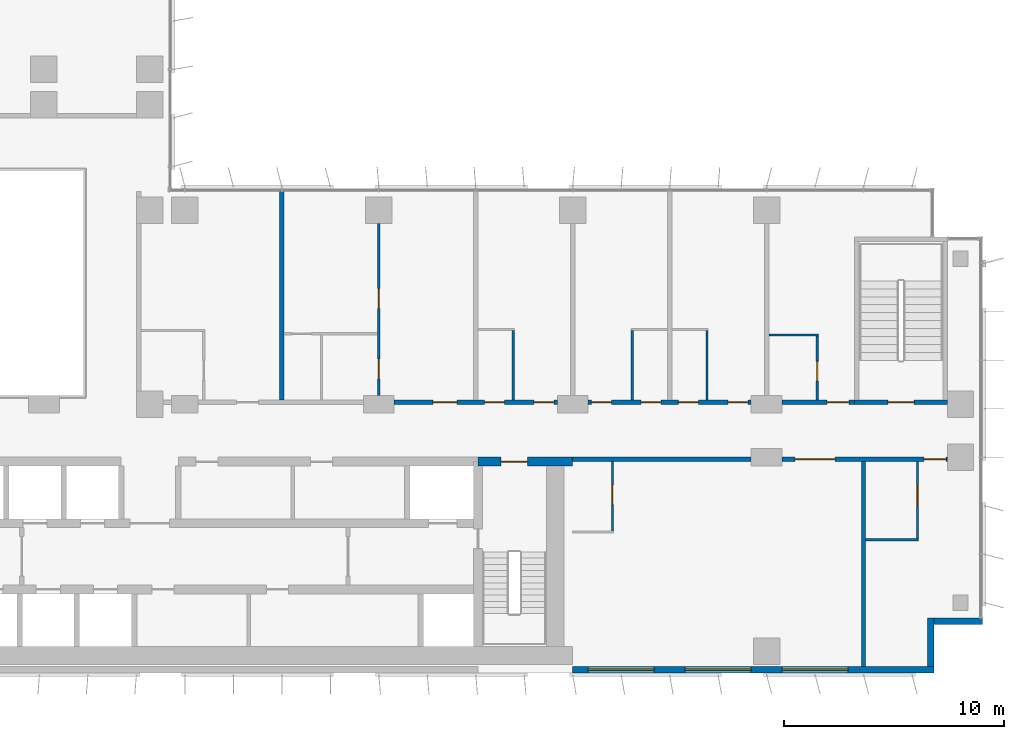
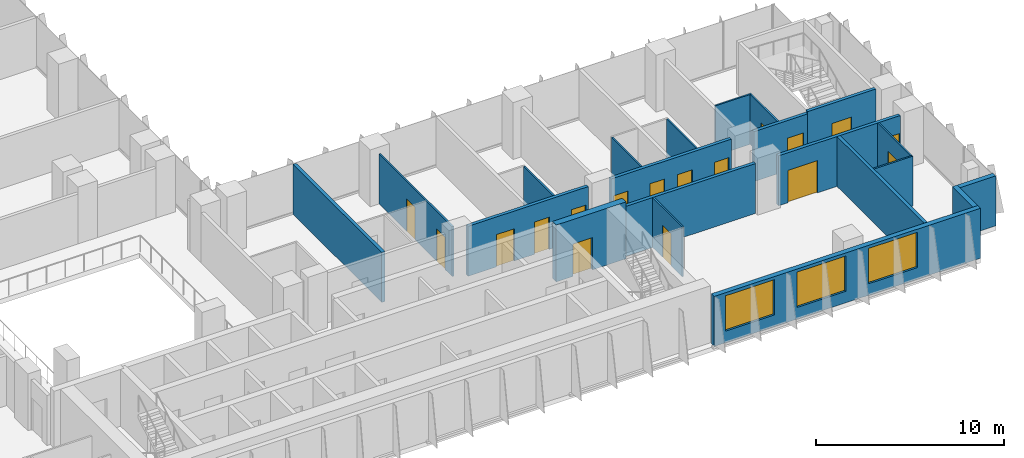
# One storey, part 14 of 22: 21 walls, 17 doors, 3 windows, 20 openings.
"""IFC4 building model written with IfcOpenShell, lengths in metres."""

from ifc_helpers import new_model, si_unit, direction, frame, frame_2d, origin, place, context, subcontext, project, spatial, rectangle, extrude, material, layer, layer_set, type_object, element, fill, save


model = new_model("IFC4")

# Units and contexts
model_context = context("Model", 3, precision=1e-05, world=origin(), true_north=direction((0.0, 1.0)))
body_context = subcontext(model_context, "Body", "Model", "MODEL_VIEW")
ifc_project = project(units=[si_unit("LENGTHUNIT", "METRE"), si_unit("AREAUNIT", "SQUARE_METRE"), si_unit("VOLUMEUNIT", "CUBIC_METRE"), si_unit("PLANEANGLEUNIT", "RADIAN"), si_unit("MASSUNIT", "GRAM", prefix="KILO")], contexts=[model_context])

# Site, building, storey
site_placement = place(None, origin())
site = spatial("IfcSite", under=ifc_project, at=site_placement, CompositionType="ELEMENT")
building_placement = place(site_placement, origin())
building = spatial("IfcBuilding", under=site, at=building_placement, Name="Kemantara Hotel Tower", CompositionType="ELEMENT")
storey_placement = place(building_placement, frame((0.0, 0.0, 149.39990234375)))
storey = spatial("IfcBuildingStorey", under=building, at=storey_placement, Name="L36", CompositionType="ELEMENT", Elevation=149.39990234375)

# Wall, openings, windows
ifc_material_1 = material(Name="Bronze anodised aluminium cladding on insulated steel stud wall", Category="steel")
ifc_layer_1 = layer(ifc_material_1, 0.300048828125)
ifc_layer_set_1 = layer_set([ifc_layer_1], Name="Bronze anodised aluminium cladding on insulated steel stud wall")
wall_type_1 = type_object("IfcWallType", Name="BRONZE METAL-CLAD EXTERNAL WALL 300", PredefinedType="STANDARD", material=ifc_layer_set_1)
wall_1_placement = place(storey_placement, frame((45.0, 0.14990234375, 0.0), z_axis=(0.0, 0.0, 1.0), x_axis=(1.0, 0.0, 0.0)))
wall_1 = element("IfcWall", 1, at=wall_1_placement, inside=storey, type_object=wall_type_1, Name="EXTERNAL WALL L36 T2-R07-3", PredefinedType="STANDARD", context=body_context, shape_type="SweptSolid", body=[
    extrude(rectangle(XDim=16.39990234375, YDim=0.300048828125, at=frame_2d((8.199951171875, 0.0))), origin(), (0.0, 0.0, 1.0), 3.25),
])
opening_1_placement = place(wall_1_placement, frame((0.699951171875, 0.0, 0.75)))
opening_1 = element("IfcOpeningElement", 2, at=opening_1_placement, cuts=wall_1, Name="Opening W1", PredefinedType="OPENING", context=body_context, shape_type="SweptSolid", body=[
    extrude(rectangle(XDim=3.0, YDim=2.300048828125, at=frame_2d((1.5, 1.14990234375))), frame((0.0, 0.159912109375, 0.0), z_axis=(0.0, -1.0, 0.0), x_axis=(1.0, 0.0, 0.0)), (0.0, 0.0, 1.0), 0.320068359375),
])
opening_2_placement = place(wall_1_placement, frame((5.10009765625, 0.0, 0.75)))
opening_2 = element("IfcOpeningElement", 3, at=opening_2_placement, cuts=wall_1, Name="Opening W1", PredefinedType="OPENING", context=body_context, shape_type="SweptSolid", body=[
    extrude(rectangle(XDim=3.0, YDim=2.300048828125, at=frame_2d((1.5, 1.14990234375))), frame((0.0, 0.159912109375, 0.0), z_axis=(0.0, -1.0, 0.0), x_axis=(1.0, 0.0, 0.0)), (0.0, 0.0, 1.0), 0.320068359375),
])
opening_3_placement = place(wall_1_placement, frame((9.5, 0.0, 0.75)))
opening_3 = element("IfcOpeningElement", 4, at=opening_3_placement, cuts=wall_1, Name="Opening W1", PredefinedType="OPENING", context=body_context, shape_type="SweptSolid", body=[
    extrude(rectangle(XDim=3.0, YDim=2.300048828125, at=frame_2d((1.5, 1.14990234375))), frame((0.0, 0.159912109375, 0.0), z_axis=(0.0, -1.0, 0.0), x_axis=(1.0, 0.0, 0.0)), (0.0, 0.0, 1.0), 0.320068359375),
])
ifc_material_2 = material(Name="Low-E tinted double insulated glass in bronze anodised aluminium frame", Category="aluminium")
window_type = type_object("IfcWindowType", Name="CHICAGO WINDOW, TRIPLE PANEL 3000x2300", PartitioningType="TRIPLE_PANEL_VERTICAL", PredefinedType="WINDOW", material=ifc_material_2)
window_1_placement = place(opening_1_placement, origin())
window_1 = element("IfcWindow", 5, at=window_1_placement, inside=storey, type_object=window_type, Name="CHICAGO WINDOW L36 T2-R07-450", OverallHeight=2.300048828125, OverallWidth=3.0, PartitioningType="SINGLE_PANEL", PredefinedType="WINDOW", context=body_context, shape_type="SweptSolid", body=[
    extrude(rectangle(XDim=3.0, YDim=2.300048828125, at=frame_2d((1.5, 1.14990234375))), frame((0.0, 0.030029296875, 0.0), z_axis=(0.0, -1.0, 0.0), x_axis=(1.0, 0.0, 0.0)), (0.0, 0.0, 1.0), 0.06005859375),
])
fill(opening_1, window_1)
window_2_placement = place(opening_2_placement, origin())
window_2 = element("IfcWindow", 6, at=window_2_placement, inside=storey, type_object=window_type, Name="CHICAGO WINDOW L36 T2-R07-494", OverallHeight=2.300048828125, OverallWidth=3.0, PartitioningType="SINGLE_PANEL", PredefinedType="WINDOW", context=body_context, shape_type="SweptSolid", body=[
    extrude(rectangle(XDim=3.0, YDim=2.300048828125, at=frame_2d((1.5, 1.14990234375))), frame((0.0, 0.030029296875, 0.0), z_axis=(0.0, -1.0, 0.0), x_axis=(1.0, 0.0, 0.0)), (0.0, 0.0, 1.0), 0.06005859375),
])
fill(opening_2, window_2)
window_3_placement = place(opening_3_placement, origin())
window_3 = element("IfcWindow", 7, at=window_3_placement, inside=storey, type_object=window_type, Name="CHICAGO WINDOW L36 T2-R07-538", OverallHeight=2.300048828125, OverallWidth=3.0, PartitioningType="SINGLE_PANEL", PredefinedType="WINDOW", context=body_context, shape_type="SweptSolid", body=[
    extrude(rectangle(XDim=3.0, YDim=2.300048828125, at=frame_2d((1.5, 1.14990234375))), frame((0.0, 0.030029296875, 0.0), z_axis=(0.0, -1.0, 0.0), x_axis=(1.0, 0.0, 0.0)), (0.0, 0.0, 1.0), 0.06005859375),
])
fill(opening_3, window_3)

# Walls
wall_2_placement = place(storey_placement, frame((61.25, 0.300048828125, 0.0), z_axis=(0.0, 0.0, 1.0), x_axis=(0.0, 1.0, 0.0)))
element("IfcWall", 8, at=wall_2_placement, inside=storey, type_object=wall_type_1, Name="EXTERNAL WALL L36 T2-R08", PredefinedType="STANDARD", context=body_context, shape_type="SweptSolid", body=[
    extrude(rectangle(XDim=2.199951171875, YDim=0.300048828125, at=frame_2d((1.10009765625, 0.0))), origin(), (0.0, 0.0, 1.0), 3.25),
])
wall_3_placement = place(storey_placement, frame((61.39990234375, 2.35009765625, 0.0), z_axis=(0.0, 0.0, 1.0), x_axis=(1.0, 0.0, 0.0)))
element("IfcWall", 9, at=wall_3_placement, inside=storey, type_object=wall_type_1, Name="EXTERNAL WALL L36 T2-R09", PredefinedType="STANDARD", context=body_context, shape_type="SweptSolid", body=[
    extrude(rectangle(XDim=2.2001953125, YDim=0.300048828125, at=frame_2d((1.10009765625, 0.0))), origin(), (0.0, 0.0, 1.0), 3.25),
])

# Wall, opening, door
ifc_material_3 = material(Name="Concrete fc 60 MPa", Category="concrete")
ifc_layer_2 = layer(ifc_material_3, 0.39990234375)
ifc_layer_set_2 = layer_set([ifc_layer_2], Name="Concrete fc 60 MPa")
wall_type_2 = type_object("IfcWallType", Name="CORE WALL 400 FC60", PredefinedType="SHEAR", material=ifc_layer_set_2)
wall_4_placement = place(storey_placement, frame((40.699951171875, 9.60009765625, 0.0), z_axis=(0.0, 0.0, 1.0), x_axis=(1.0, 0.0, 0.0)))
wall_4 = element("IfcWall", 10, at=wall_4_placement, inside=storey, type_object=wall_type_2, Name="CORE WALL CW-N2", PredefinedType="SHEAR", context=body_context, shape_type="SweptSolid", body=[
    extrude(rectangle(XDim=4.300048828125, YDim=0.39990234375, at=frame_2d((2.14990234375, 0.0))), origin(), (0.0, 0.0, 1.0), 3.7001953125),
])
opening_4_placement = place(wall_4_placement, frame((1.050048828125, 0.0, 0.0)))
opening_4 = element("IfcOpeningElement", 11, at=opening_4_placement, cuts=wall_4, Name="Opening C23-ST2-C", PredefinedType="OPENING", context=body_context, shape_type="SweptSolid", body=[
    extrude(rectangle(XDim=1.199951171875, YDim=2.10009765625, at=frame_2d((0.60009765625, 1.050048828125))), frame((0.0, 0.2099609375, 0.0), z_axis=(0.0, -1.0, 0.0), x_axis=(1.0, 0.0, 0.0)), (0.0, 0.0, 1.0), 0.419921875),
])
ifc_material_4 = material(Name="Steel fire door", Category="steel")
door_type_1 = type_object("IfcDoorType", Name="Fire door FD90 1200 x 2100", OperationType="NOTDEFINED", PredefinedType="DOOR", material=ifc_material_4)
door_1_placement = place(opening_4_placement, frame((1.199951171875, 0.0, 0.0), z_axis=(0.0, 0.0, 1.0), x_axis=(-1.0, 0.0, 0.0)))
door_1 = element("IfcDoor", 12, at=door_1_placement, inside=storey, type_object=door_type_1, Name="Stair ST2 door to corridor", OperationType="SINGLE_SWING_RIGHT", OverallHeight=2.10009765625, OverallWidth=1.199951171875, PredefinedType="DOOR", context=body_context, shape_type="SweptSolid", body=[
    extrude(rectangle(XDim=1.199951171875, YDim=2.10009765625, at=frame_2d((0.60009765625, 1.050048828125))), frame((0.0, 0.02490234375, 0.0), z_axis=(0.0, -1.0, 0.0), x_axis=(1.0, 0.0, 0.0)), (0.0, 0.0, 1.0), 0.050048828125),
])
fill(opening_4, door_1)

# Wall
ifc_material_5 = material(Name="Gypsum board partition, steel studs and mineral wool, 200 mm", Category="steel")
ifc_layer_3 = layer(ifc_material_5, 0.199951171875)
ifc_layer_set_3 = layer_set([ifc_layer_3], Name="Gypsum board partition, steel studs and mineral wool, 200 mm")
wall_type_3 = type_object("IfcWallType", Name="CORRIDOR WALL 200", PredefinedType="PARTITIONING", material=ifc_layer_set_3)
wall_5_placement = place(storey_placement, frame((45.0, 9.699951171875, 0.0), z_axis=(0.0, 0.0, 1.0), x_axis=(1.0, 0.0, 0.0)))
element("IfcWall", 13, at=wall_5_placement, inside=storey, type_object=wall_type_3, Name="CORRIDOR WALL 200 001", PredefinedType="PARTITIONING", context=body_context, shape_type="SweptSolid", body=[
    extrude(rectangle(XDim=8.099853515625, YDim=0.199951171875, at=frame_2d((4.0498046875, 0.0))), origin(), (0.0, 0.0, 1.0), 3.25),
])

# Wall, openings, doors
wall_6_placement = place(storey_placement, frame((62.0, 9.699951171875, 0.0), z_axis=(0.0, 0.0, 1.0), x_axis=(-1.0, 0.0, 0.0)))
wall_6 = element("IfcWall", 14, at=wall_6_placement, inside=storey, type_object=wall_type_3, Name="CORRIDOR WALL 200 002", PredefinedType="PARTITIONING", context=body_context, shape_type="SweptSolid", body=[
    extrude(rectangle(XDim=7.5, YDim=0.199951171875, at=frame_2d((3.75, 0.0))), origin(), (0.0, 0.0, 1.0), 3.25),
])
opening_5_placement = place(wall_6_placement, frame((5.099853515625, 0.0, 0.0)))
opening_5 = element("IfcOpeningElement", 15, at=opening_5_placement, cuts=wall_6, Name="Opening F16-001", PredefinedType="OPENING", context=body_context, shape_type="SweptSolid", body=[
    extrude(rectangle(XDim=1.800048828125, YDim=2.10009765625, at=frame_2d((0.89990234375, 1.050048828125))), frame((0.0, 0.10986328125, 0.0), z_axis=(0.0, -1.0, 0.0), x_axis=(1.0, 0.0, 0.0)), (0.0, 0.0, 1.0), 0.219970703125),
])
opening_6_placement = place(wall_6_placement, frame((0.0498046875, 0.0, 0.0)))
opening_6 = element("IfcOpeningElement", 16, at=opening_6_placement, cuts=wall_6, Name="Opening F16-003", PredefinedType="OPENING", context=body_context, shape_type="SweptSolid", body=[
    extrude(rectangle(XDim=1.0, YDim=2.10009765625, at=frame_2d((0.5, 1.050048828125))), frame((0.0, 0.10986328125, 0.0), z_axis=(0.0, -1.0, 0.0), x_axis=(1.0, 0.0, 0.0)), (0.0, 0.0, 1.0), 0.219970703125),
])
ifc_material_6 = material(Name="Hardwood veneer door leaf with steel frame", Category="steel")
door_type_2 = type_object("IfcDoorType", Name="GUEST ROOM DOOR 1000 X 2100 FD30S", OperationType="NOTDEFINED", PredefinedType="DOOR", material=ifc_material_6)
door_2_placement = place(opening_6_placement, origin())
door_2 = element("IfcDoor", 17, at=door_2_placement, inside=storey, type_object=door_type_2, Name="GUEST ROOM DOOR F16-003", OperationType="SINGLE_SWING_LEFT", OverallHeight=2.10009765625, OverallWidth=1.0, PredefinedType="DOOR", context=body_context, shape_type="SweptSolid", body=[
    extrude(rectangle(XDim=1.0, YDim=2.10009765625, at=frame_2d((0.5, 1.050048828125))), frame((0.0, 0.02490234375, 0.0), z_axis=(0.0, -1.0, 0.0), x_axis=(1.0, 0.0, 0.0)), (0.0, 0.0, 1.0), 0.050048828125),
])
fill(opening_6, door_2)
door_type_3 = type_object("IfcDoorType", Name="GUEST ROOM DOOR 1800 X 2100 FD30S", OperationType="NOTDEFINED", PredefinedType="DOOR", material=ifc_material_6)
door_3_placement = place(opening_5_placement, origin())
door_3 = element("IfcDoor", 18, at=door_3_placement, inside=storey, type_object=door_type_3, Name="GUEST ROOM DOOR F16-001", OperationType="DOUBLE_DOOR_SINGLE_SWING", OverallHeight=2.10009765625, OverallWidth=1.800048828125, PredefinedType="DOOR", context=body_context, shape_type="SweptSolid", body=[
    extrude(rectangle(XDim=1.800048828125, YDim=2.10009765625, at=frame_2d((0.89990234375, 1.050048828125))), frame((0.0, 0.02490234375, 0.0), z_axis=(0.0, -1.0, 0.0), x_axis=(1.0, 0.0, 0.0)), (0.0, 0.0, 1.0), 0.050048828125),
])
fill(opening_5, door_3)

wall_7_placement = place(storey_placement, frame((36.900146484375, 12.300048828125, 0.0), z_axis=(0.0, 0.0, 1.0), x_axis=(1.0, 0.0, 0.0)))
wall_7 = element("IfcWall", 19, at=wall_7_placement, inside=storey, type_object=wall_type_3, Name="CORRIDOR WALL 200 006", PredefinedType="PARTITIONING", context=body_context, shape_type="SweptSolid", body=[
    extrude(rectangle(XDim=7.399658203125, YDim=0.199951171875, at=frame_2d((3.69970703125, 0.0))), origin(), (0.0, 0.0, 1.0), 3.25),
])
opening_7_placement = place(wall_7_placement, frame((1.75, 0.0, 0.0)))
opening_7 = element("IfcOpeningElement", 20, at=opening_7_placement, cuts=wall_7, Name="Opening F16-007", PredefinedType="OPENING", context=body_context, shape_type="SweptSolid", body=[
    extrude(rectangle(XDim=1.10009765625, YDim=2.10009765625, at=frame_2d((0.550048828125, 1.050048828125))), frame((0.0, 0.10986328125, 0.0), z_axis=(0.0, -1.0, 0.0), x_axis=(1.0, 0.0, 0.0)), (0.0, 0.0, 1.0), 0.219970703125),
])
opening_8_placement = place(wall_7_placement, frame((6.349853515625, 0.0, 0.0)))
opening_8 = element("IfcOpeningElement", 21, at=opening_8_placement, cuts=wall_7, Name="Opening F16-011", PredefinedType="OPENING", context=body_context, shape_type="SweptSolid", body=[
    extrude(rectangle(XDim=0.89990234375, YDim=2.10009765625, at=frame_2d((0.449951171875, 1.050048828125))), frame((0.0, 0.10986328125, 0.0), z_axis=(0.0, -1.0, 0.0), x_axis=(1.0, 0.0, 0.0)), (0.0, 0.0, 1.0), 0.219970703125),
])
opening_9_placement = place(wall_7_placement, frame((4.099853515625, 0.0, 0.0)))
opening_9 = element("IfcOpeningElement", 22, at=opening_9_placement, cuts=wall_7, Name="Opening F16-012", PredefinedType="OPENING", context=body_context, shape_type="SweptSolid", body=[
    extrude(rectangle(XDim=0.89990234375, YDim=2.10009765625, at=frame_2d((0.449951171875, 1.050048828125))), frame((0.0, 0.10986328125, 0.0), z_axis=(0.0, -1.0, 0.0), x_axis=(1.0, 0.0, 0.0)), (0.0, 0.0, 1.0), 0.219970703125),
])
ifc_material_7 = material(Name="Steel door leaf with steel frame", Category="steel")
door_type_4 = type_object("IfcDoorType", Name="SERVICE ROOM DOOR 900 X 2100 FD60", OperationType="NOTDEFINED", PredefinedType="DOOR", material=ifc_material_7)
door_4_placement = place(opening_8_placement, origin())
door_4 = element("IfcDoor", 23, at=door_4_placement, inside=storey, type_object=door_type_4, Name="SERVICE ROOM DOOR F16-011", OperationType="SINGLE_SWING_RIGHT", OverallHeight=2.10009765625, OverallWidth=0.89990234375, PredefinedType="DOOR", context=body_context, shape_type="SweptSolid", body=[
    extrude(rectangle(XDim=0.89990234375, YDim=2.10009765625, at=frame_2d((0.449951171875, 1.050048828125))), frame((0.0, 0.02490234375, 0.0), z_axis=(0.0, -1.0, 0.0), x_axis=(1.0, 0.0, 0.0)), (0.0, 0.0, 1.0), 0.050048828125),
])
fill(opening_8, door_4)
door_5_placement = place(opening_9_placement, origin())
door_5 = element("IfcDoor", 24, at=door_5_placement, inside=storey, type_object=door_type_4, Name="SERVICE ROOM DOOR F16-012", OperationType="SINGLE_SWING_LEFT", OverallHeight=2.10009765625, OverallWidth=0.89990234375, PredefinedType="DOOR", context=body_context, shape_type="SweptSolid", body=[
    extrude(rectangle(XDim=0.89990234375, YDim=2.10009765625, at=frame_2d((0.449951171875, 1.050048828125))), frame((0.0, 0.02490234375, 0.0), z_axis=(0.0, -1.0, 0.0), x_axis=(1.0, 0.0, 0.0)), (0.0, 0.0, 1.0), 0.050048828125),
])
fill(opening_9, door_5)
door_type_5 = type_object("IfcDoorType", Name="SUITE ENTRANCE DOOR 1100 X 2100 FD30S", OperationType="NOTDEFINED", PredefinedType="DOOR", material=ifc_material_6)
door_6_placement = place(opening_7_placement, origin())
door_6 = element("IfcDoor", 25, at=door_6_placement, inside=storey, type_object=door_type_5, Name="SUITE ENTRANCE DOOR F16-007", OperationType="SINGLE_SWING_RIGHT", OverallHeight=2.10009765625, OverallWidth=1.10009765625, PredefinedType="DOOR", context=body_context, shape_type="SweptSolid", body=[
    extrude(rectangle(XDim=1.10009765625, YDim=2.10009765625, at=frame_2d((0.550048828125, 1.050048828125))), frame((0.0, 0.02490234375, 0.0), z_axis=(0.0, -1.0, 0.0), x_axis=(1.0, 0.0, 0.0)), (0.0, 0.0, 1.0), 0.050048828125),
])
fill(opening_7, door_6)

wall_8_placement = place(storey_placement, frame((45.7001953125, 12.300048828125, 0.0), z_axis=(0.0, 0.0, 1.0), x_axis=(1.0, 0.0, 0.0)))
wall_8 = element("IfcWall", 26, at=wall_8_placement, inside=storey, type_object=wall_type_3, Name="CORRIDOR WALL 200 007", PredefinedType="PARTITIONING", context=body_context, shape_type="SweptSolid", body=[
    extrude(rectangle(XDim=7.399658203125, YDim=0.199951171875, at=frame_2d((3.69970703125, 0.0))), origin(), (0.0, 0.0, 1.0), 3.25),
])
opening_10_placement = place(wall_8_placement, frame((0.14990234375, 0.0, 0.0)))
opening_10 = element("IfcOpeningElement", 27, at=opening_10_placement, cuts=wall_8, Name="Opening F16-013", PredefinedType="OPENING", context=body_context, shape_type="SweptSolid", body=[
    extrude(rectangle(XDim=0.89990234375, YDim=2.10009765625, at=frame_2d((0.449951171875, 1.050048828125))), frame((0.0, 0.10986328125, 0.0), z_axis=(0.0, -1.0, 0.0), x_axis=(1.0, 0.0, 0.0)), (0.0, 0.0, 1.0), 0.219970703125),
])
opening_11_placement = place(wall_8_placement, frame((2.39990234375, 0.0, 0.0)))
opening_11 = element("IfcOpeningElement", 28, at=opening_11_placement, cuts=wall_8, Name="Opening F16-014", PredefinedType="OPENING", context=body_context, shape_type="SweptSolid", body=[
    extrude(rectangle(XDim=0.89990234375, YDim=2.10009765625, at=frame_2d((0.449951171875, 1.050048828125))), frame((0.0, 0.10986328125, 0.0), z_axis=(0.0, -1.0, 0.0), x_axis=(1.0, 0.0, 0.0)), (0.0, 0.0, 1.0), 0.219970703125),
])
opening_12_placement = place(wall_8_placement, frame((6.349853515625, 0.0, 0.0)))
opening_12 = element("IfcOpeningElement", 29, at=opening_12_placement, cuts=wall_8, Name="Opening F16-015", PredefinedType="OPENING", context=body_context, shape_type="SweptSolid", body=[
    extrude(rectangle(XDim=0.89990234375, YDim=2.10009765625, at=frame_2d((0.449951171875, 1.050048828125))), frame((0.0, 0.10986328125, 0.0), z_axis=(0.0, -1.0, 0.0), x_axis=(1.0, 0.0, 0.0)), (0.0, 0.0, 1.0), 0.219970703125),
])
opening_13_placement = place(wall_8_placement, frame((4.099853515625, 0.0, 0.0)))
opening_13 = element("IfcOpeningElement", 30, at=opening_13_placement, cuts=wall_8, Name="Opening F16-016", PredefinedType="OPENING", context=body_context, shape_type="SweptSolid", body=[
    extrude(rectangle(XDim=0.89990234375, YDim=2.10009765625, at=frame_2d((0.449951171875, 1.050048828125))), frame((0.0, 0.10986328125, 0.0), z_axis=(0.0, -1.0, 0.0), x_axis=(1.0, 0.0, 0.0)), (0.0, 0.0, 1.0), 0.219970703125),
])
door_7_placement = place(opening_10_placement, origin())
door_7 = element("IfcDoor", 31, at=door_7_placement, inside=storey, type_object=door_type_4, Name="SERVICE ROOM DOOR F16-013", OperationType="SINGLE_SWING_LEFT", OverallHeight=2.10009765625, OverallWidth=0.89990234375, PredefinedType="DOOR", context=body_context, shape_type="SweptSolid", body=[
    extrude(rectangle(XDim=0.89990234375, YDim=2.10009765625, at=frame_2d((0.449951171875, 1.050048828125))), frame((0.0, 0.02490234375, 0.0), z_axis=(0.0, -1.0, 0.0), x_axis=(1.0, 0.0, 0.0)), (0.0, 0.0, 1.0), 0.050048828125),
])
fill(opening_10, door_7)
door_8_placement = place(opening_11_placement, origin())
door_8 = element("IfcDoor", 32, at=door_8_placement, inside=storey, type_object=door_type_4, Name="SERVICE ROOM DOOR F16-014", OperationType="SINGLE_SWING_RIGHT", OverallHeight=2.10009765625, OverallWidth=0.89990234375, PredefinedType="DOOR", context=body_context, shape_type="SweptSolid", body=[
    extrude(rectangle(XDim=0.89990234375, YDim=2.10009765625, at=frame_2d((0.449951171875, 1.050048828125))), frame((0.0, 0.02490234375, 0.0), z_axis=(0.0, -1.0, 0.0), x_axis=(1.0, 0.0, 0.0)), (0.0, 0.0, 1.0), 0.050048828125),
])
fill(opening_11, door_8)
door_9_placement = place(opening_12_placement, origin())
door_9 = element("IfcDoor", 33, at=door_9_placement, inside=storey, type_object=door_type_4, Name="SERVICE ROOM DOOR F16-015", OperationType="SINGLE_SWING_RIGHT", OverallHeight=2.10009765625, OverallWidth=0.89990234375, PredefinedType="DOOR", context=body_context, shape_type="SweptSolid", body=[
    extrude(rectangle(XDim=0.89990234375, YDim=2.10009765625, at=frame_2d((0.449951171875, 1.050048828125))), frame((0.0, 0.02490234375, 0.0), z_axis=(0.0, -1.0, 0.0), x_axis=(1.0, 0.0, 0.0)), (0.0, 0.0, 1.0), 0.050048828125),
])
fill(opening_12, door_9)
door_10_placement = place(opening_13_placement, origin())
door_10 = element("IfcDoor", 34, at=door_10_placement, inside=storey, type_object=door_type_4, Name="SERVICE ROOM DOOR F16-016", OperationType="SINGLE_SWING_LEFT", OverallHeight=2.10009765625, OverallWidth=0.89990234375, PredefinedType="DOOR", context=body_context, shape_type="SweptSolid", body=[
    extrude(rectangle(XDim=0.89990234375, YDim=2.10009765625, at=frame_2d((0.449951171875, 1.050048828125))), frame((0.0, 0.02490234375, 0.0), z_axis=(0.0, -1.0, 0.0), x_axis=(1.0, 0.0, 0.0)), (0.0, 0.0, 1.0), 0.050048828125),
])
fill(opening_13, door_10)

# Wall, opening, door
wall_9_placement = place(storey_placement, frame((54.5, 12.300048828125, 0.0), z_axis=(0.0, 0.0, 1.0), x_axis=(1.0, 0.0, 0.0)))
wall_9 = element("IfcWall", 35, at=wall_9_placement, inside=storey, type_object=wall_type_3, Name="CORRIDOR WALL 200 008", PredefinedType="PARTITIONING", context=body_context, shape_type="SweptSolid", body=[
    extrude(rectangle(XDim=3.300048828125, YDim=0.199951171875, at=frame_2d((1.64990234375, 0.0))), origin(), (0.0, 0.0, 1.0), 3.25),
])
opening_14_placement = place(wall_9_placement, frame((2.0498046875, 0.0, 0.0)))
opening_14 = element("IfcOpeningElement", 36, at=opening_14_placement, cuts=wall_9, Name="Opening F16-017", PredefinedType="OPENING", context=body_context, shape_type="SweptSolid", body=[
    extrude(rectangle(XDim=1.0, YDim=2.10009765625, at=frame_2d((0.5, 1.050048828125))), frame((0.0, 0.10986328125, 0.0), z_axis=(0.0, -1.0, 0.0), x_axis=(1.0, 0.0, 0.0)), (0.0, 0.0, 1.0), 0.219970703125),
])
door_11_placement = place(opening_14_placement, origin())
door_11 = element("IfcDoor", 37, at=door_11_placement, inside=storey, type_object=door_type_2, Name="GUEST ROOM DOOR F16-017", OperationType="SINGLE_SWING_RIGHT", OverallHeight=2.10009765625, OverallWidth=1.0, PredefinedType="DOOR", context=body_context, shape_type="SweptSolid", body=[
    extrude(rectangle(XDim=1.0, YDim=2.10009765625, at=frame_2d((0.5, 1.050048828125))), frame((0.0, 0.02490234375, 0.0), z_axis=(0.0, -1.0, 0.0), x_axis=(1.0, 0.0, 0.0)), (0.0, 0.0, 1.0), 0.050048828125),
])
fill(opening_14, door_11)

ifc_material_8 = material(Name="Concrete fc 40 MPa", Category="concrete")
ifc_layer_4 = layer(ifc_material_8, 0.199951171875)
ifc_layer_set_4 = layer_set([ifc_layer_4], Name="Concrete fc 40 MPa")
wall_type_4 = type_object("IfcWallType", Name="Concrete stair wall 200 mm", PredefinedType="SHEAR", material=ifc_layer_set_4)
wall_10_placement = place(storey_placement, frame((57.800048828125, 12.300048828125, 0.0), z_axis=(0.0, 0.0, 1.0), x_axis=(1.0, 0.0, 0.0)))
wall_10 = element("IfcWall", 38, at=wall_10_placement, inside=storey, type_object=wall_type_4, Name="Stair ST3 enclosure wall with door", PredefinedType="SHEAR", context=body_context, shape_type="SweptSolid", body=[
    extrude(rectangle(XDim=4.199951171875, YDim=0.199951171875, at=frame_2d((2.10009765625, 0.0))), origin(), (0.0, 0.0, 1.0), 3.400146484375),
])
opening_15_placement = place(wall_10_placement, frame((1.5, 0.0, 0.0)))
opening_15 = element("IfcOpeningElement", 39, at=opening_15_placement, cuts=wall_10, Name="Opening ST3-C", PredefinedType="OPENING", context=body_context, shape_type="SweptSolid", body=[
    extrude(rectangle(XDim=1.199951171875, YDim=2.10009765625, at=frame_2d((0.60009765625, 1.050048828125))), frame((0.0, 0.10986328125, 0.0), z_axis=(0.0, -1.0, 0.0), x_axis=(1.0, 0.0, 0.0)), (0.0, 0.0, 1.0), 0.219970703125),
])
door_12_placement = place(opening_15_placement, origin())
door_12 = element("IfcDoor", 40, at=door_12_placement, inside=storey, type_object=door_type_1, Name="Stair ST3 door", OperationType="SINGLE_SWING_RIGHT", OverallHeight=2.10009765625, OverallWidth=1.199951171875, PredefinedType="DOOR", context=body_context, shape_type="SweptSolid", body=[
    extrude(rectangle(XDim=1.199951171875, YDim=2.10009765625, at=frame_2d((0.60009765625, 1.050048828125))), frame((0.0, 0.02490234375, 0.0), z_axis=(0.0, -1.0, 0.0), x_axis=(1.0, 0.0, 0.0)), (0.0, 0.0, 1.0), 0.050048828125),
])
fill(opening_15, door_12)

# Walls
ifc_layer_5 = layer(ifc_material_5, 0.199951171875)
ifc_layer_set_5 = layer_set([ifc_layer_5], Name="Gypsum board partition, steel studs and mineral wool, 200 mm")
wall_type_5 = type_object("IfcWallType", Name="GUEST ROOM PARTY WALL 200", PredefinedType="PARTITIONING", material=ifc_layer_set_5)
wall_11_placement = place(storey_placement, frame((58.199951171875, 0.31005859375, 0.0), z_axis=(0.0, 0.0, 1.0), x_axis=(0.0, 1.0, 0.0)))
element("IfcWall", 41, at=wall_11_placement, inside=storey, type_object=wall_type_5, Name="GUEST ROOM PARTY WALL 200 003", PredefinedType="PARTITIONING", context=body_context, shape_type="SweptSolid", body=[
    extrude(rectangle(XDim=9.2900390625, YDim=0.199951171875, at=frame_2d((4.64501953125, 0.0))), origin(), (0.0, 0.0, 1.0), 3.25),
])
wall_12_placement = place(storey_placement, frame((31.800048828125, 12.39990234375, 0.0), z_axis=(0.0, 0.0, 1.0), x_axis=(0.0, 1.0, 0.0)))
element("IfcWall", 42, at=wall_12_placement, inside=storey, type_object=wall_type_5, Name="GUEST ROOM PARTY WALL 200 011", PredefinedType="PARTITIONING", context=body_context, shape_type="SweptSolid", body=[
    extrude(rectangle(XDim=9.47021484375, YDim=0.199951171875, at=frame_2d((4.735107421875, 0.0))), origin(), (0.0, 0.0, 1.0), 3.25),
])

# Wall, opening, door
ifc_material_9 = material(Name="Gypsum board partition on steel studs, 100 mm", Category="steel")
ifc_layer_6 = layer(ifc_material_9, 0.10009765625)
ifc_layer_set_6 = layer_set([ifc_layer_6], Name="Gypsum board partition on steel studs, 100 mm")
wall_type_6 = type_object("IfcWallType", Name="ROOM PARTITION 100", PredefinedType="PARTITIONING", material=ifc_layer_set_6)
wall_13_placement = place(storey_placement, frame((46.800048828125, 6.449951171875, 0.0), z_axis=(0.0, 0.0, 1.0), x_axis=(0.0, 1.0, 0.0)))
wall_13 = element("IfcWall", 43, at=wall_13_placement, inside=storey, type_object=wall_type_6, Name="ROOM PARTITION 100 046", PredefinedType="PARTITIONING", context=body_context, shape_type="SweptSolid", body=[
    extrude(rectangle(XDim=3.150146484375, YDim=0.10009765625, at=frame_2d((1.5751953125, 0.0))), origin(), (0.0, 0.0, 1.0), 3.25),
])
opening_16_placement = place(wall_13_placement, frame((1.199951171875, 0.0, 0.0)))
opening_16 = element("IfcOpeningElement", 44, at=opening_16_placement, cuts=wall_13, Name="Opening F16-002", PredefinedType="OPENING", context=body_context, shape_type="SweptSolid", body=[
    extrude(rectangle(XDim=0.89990234375, YDim=2.10009765625, at=frame_2d((0.449951171875, 1.050048828125))), frame((0.0, 0.06005859375, 0.0), z_axis=(0.0, -1.0, 0.0), x_axis=(1.0, 0.0, 0.0)), (0.0, 0.0, 1.0), 0.1201171875),
])
door_type_6 = type_object("IfcDoorType", Name="PANTRY DOOR 900 X 2100", OperationType="NOTDEFINED", PredefinedType="DOOR", material=ifc_material_6)
door_13_placement = place(opening_16_placement, origin())
door_13 = element("IfcDoor", 45, at=door_13_placement, inside=storey, type_object=door_type_6, Name="PANTRY DOOR F16-002", OperationType="SINGLE_SWING_RIGHT", OverallHeight=2.10009765625, OverallWidth=0.89990234375, PredefinedType="DOOR", context=body_context, shape_type="SweptSolid", body=[
    extrude(rectangle(XDim=0.89990234375, YDim=2.10009765625, at=frame_2d((0.449951171875, 1.050048828125))), frame((0.0, 0.02490234375, 0.0), z_axis=(0.0, -1.0, 0.0), x_axis=(1.0, 0.0, 0.0)), (0.0, 0.0, 1.0), 0.050048828125),
])
fill(opening_16, door_13)

# Wall
wall_14_placement = place(storey_placement, frame((58.300048828125, 6.050048828125, 0.0), z_axis=(0.0, 0.0, 1.0), x_axis=(1.0, 0.0, 0.0)))
element("IfcWall", 46, at=wall_14_placement, inside=storey, type_object=wall_type_6, Name="ROOM PARTITION 100 047", PredefinedType="PARTITIONING", context=body_context, shape_type="SweptSolid", body=[
    extrude(rectangle(XDim=2.39990234375, YDim=0.10009765625, at=frame_2d((1.199951171875, 0.0))), origin(), (0.0, 0.0, 1.0), 3.25),
])

# Wall, opening, door
wall_15_placement = place(storey_placement, frame((60.64990234375, 6.10009765625, 0.0), z_axis=(0.0, 0.0, 1.0), x_axis=(0.0, 1.0, 0.0)))
wall_15 = element("IfcWall", 47, at=wall_15_placement, inside=storey, type_object=wall_type_6, Name="ROOM PARTITION 100 048", PredefinedType="PARTITIONING", context=body_context, shape_type="SweptSolid", body=[
    extrude(rectangle(XDim=3.5, YDim=0.10009765625, at=frame_2d((1.75, 0.0))), origin(), (0.0, 0.0, 1.0), 3.25),
])
opening_17_placement = place(wall_15_placement, frame((1.5, 0.0, 0.0)))
opening_17 = element("IfcOpeningElement", 48, at=opening_17_placement, cuts=wall_15, Name="Opening F16-004", PredefinedType="OPENING", context=body_context, shape_type="SweptSolid", body=[
    extrude(rectangle(XDim=0.89990234375, YDim=2.10009765625, at=frame_2d((0.449951171875, 1.050048828125))), frame((0.0, 0.06005859375, 0.0), z_axis=(0.0, -1.0, 0.0), x_axis=(1.0, 0.0, 0.0)), (0.0, 0.0, 1.0), 0.1201171875),
])
door_type_7 = type_object("IfcDoorType", Name="BATHROOM DOOR 900 X 2100", OperationType="NOTDEFINED", PredefinedType="DOOR", material=ifc_material_6)
door_14_placement = place(opening_17_placement, origin())
door_14 = element("IfcDoor", 49, at=door_14_placement, inside=storey, type_object=door_type_7, Name="BATHROOM DOOR F16-004", OperationType="SINGLE_SWING_RIGHT", OverallHeight=2.10009765625, OverallWidth=0.89990234375, PredefinedType="DOOR", context=body_context, shape_type="SweptSolid", body=[
    extrude(rectangle(XDim=0.89990234375, YDim=2.10009765625, at=frame_2d((0.449951171875, 1.050048828125))), frame((0.0, 0.02490234375, 0.0), z_axis=(0.0, -1.0, 0.0), x_axis=(1.0, 0.0, 0.0)), (0.0, 0.0, 1.0), 0.050048828125),
])
fill(opening_17, door_14)

# Wall, openings, doors
wall_16_placement = place(storey_placement, frame((36.199951171875, 12.60009765625, 0.0), z_axis=(0.0, 0.0, 1.0), x_axis=(0.0, 1.0, 0.0)))
wall_16 = element("IfcWall", 50, at=wall_16_placement, inside=storey, type_object=wall_type_6, Name="ROOM PARTITION 100 052", PredefinedType="PARTITIONING", context=body_context, shape_type="SweptSolid", body=[
    extrude(rectangle(XDim=7.7998046875, YDim=0.10009765625, at=frame_2d((3.89990234375, 0.0))), origin(), (0.0, 0.0, 1.0), 3.25),
])
opening_18_placement = place(wall_16_placement, frame((0.75, 0.0, 0.0)))
opening_18 = element("IfcOpeningElement", 51, at=opening_18_placement, cuts=wall_16, Name="Opening F16-008", PredefinedType="OPENING", context=body_context, shape_type="SweptSolid", body=[
    extrude(rectangle(XDim=0.89990234375, YDim=2.10009765625, at=frame_2d((0.449951171875, 1.050048828125))), frame((0.0, 0.06005859375, 0.0), z_axis=(0.0, -1.0, 0.0), x_axis=(1.0, 0.0, 0.0)), (0.0, 0.0, 1.0), 0.1201171875),
])
opening_19_placement = place(wall_16_placement, frame((3.949951171875, 0.0, 0.0)))
opening_19 = element("IfcOpeningElement", 52, at=opening_19_placement, cuts=wall_16, Name="Opening F16-009", PredefinedType="OPENING", context=body_context, shape_type="SweptSolid", body=[
    extrude(rectangle(XDim=0.89990234375, YDim=2.10009765625, at=frame_2d((0.449951171875, 1.050048828125))), frame((0.0, 0.06005859375, 0.0), z_axis=(0.0, -1.0, 0.0), x_axis=(1.0, 0.0, 0.0)), (0.0, 0.0, 1.0), 0.1201171875),
])
door_type_8 = type_object("IfcDoorType", Name="INTERNAL DOOR 900 X 2100", OperationType="NOTDEFINED", PredefinedType="DOOR", material=ifc_material_6)
door_15_placement = place(opening_19_placement, origin())
door_15 = element("IfcDoor", 53, at=door_15_placement, inside=storey, type_object=door_type_8, Name="INTERNAL DOOR F16-009", OperationType="SINGLE_SWING_LEFT", OverallHeight=2.10009765625, OverallWidth=0.89990234375, PredefinedType="DOOR", context=body_context, shape_type="SweptSolid", body=[
    extrude(rectangle(XDim=0.89990234375, YDim=2.10009765625, at=frame_2d((0.449951171875, 1.050048828125))), frame((0.0, 0.02490234375, 0.0), z_axis=(0.0, -1.0, 0.0), x_axis=(1.0, 0.0, 0.0)), (0.0, 0.0, 1.0), 0.050048828125),
])
fill(opening_19, door_15)
door_16_placement = place(opening_18_placement, frame((0.89990234375, 0.0, 0.0), z_axis=(0.0, 0.0, 1.0), x_axis=(-1.0, 0.0, 0.0)))
door_16 = element("IfcDoor", 54, at=door_16_placement, inside=storey, type_object=door_type_6, Name="PANTRY DOOR F16-008", OperationType="SINGLE_SWING_LEFT", OverallHeight=2.10009765625, OverallWidth=0.89990234375, PredefinedType="DOOR", context=body_context, shape_type="SweptSolid", body=[
    extrude(rectangle(XDim=0.89990234375, YDim=2.10009765625, at=frame_2d((0.449951171875, 1.050048828125))), frame((0.0, 0.02490234375, 0.0), z_axis=(0.0, -1.0, 0.0), x_axis=(1.0, 0.0, 0.0)), (0.0, 0.0, 1.0), 0.050048828125),
])
fill(opening_18, door_16)

# Walls
for number, where, z_axis, x_axis, name in (
    (55, (42.300048828125, 12.39990234375, 0.0), (0.0, 0.0, 1.0), (0.0, 1.0, 0.0), "ROOM PARTITION 100 057"),
    (56, (47.699951171875, 12.39990234375, 0.0), (0.0, 0.0, 1.0), (0.0, 1.0, 0.0), "ROOM PARTITION 100 058"),
    (57, (51.10009765625, 12.39990234375, 0.0), (0.0, 0.0, 1.0), (0.0, 1.0, 0.0), "ROOM PARTITION 100 059"),
):
    element("IfcWall", number, at=place(storey_placement, frame(where, z_axis=z_axis, x_axis=x_axis)), inside=storey, type_object=wall_type_6, Name=name, PredefinedType="PARTITIONING", context=body_context, shape_type="SweptSolid", body=[
        extrude(rectangle(XDim=3.150146484375, YDim=0.10009765625, at=frame_2d((1.5751953125, 0.0))), origin(), (0.0, 0.0, 1.0), 3.25),
    ])
wall_17_placement = place(storey_placement, frame((53.89990234375, 15.35009765625, 0.0), z_axis=(0.0, 0.0, 1.0), x_axis=(1.0, 0.0, 0.0)))
element("IfcWall", 58, at=wall_17_placement, inside=storey, type_object=wall_type_6, Name="ROOM PARTITION 100 060", PredefinedType="PARTITIONING", context=body_context, shape_type="SweptSolid", body=[
    extrude(rectangle(XDim=2.25, YDim=0.10009765625, at=frame_2d((1.125, 0.0))), origin(), (0.0, 0.0, 1.0), 3.25),
])

# Wall, opening, door
wall_18_placement = place(storey_placement, frame((56.10009765625, 12.39990234375, 0.0), z_axis=(0.0, 0.0, 1.0), x_axis=(0.0, 1.0, 0.0)))
wall_18 = element("IfcWall", 59, at=wall_18_placement, inside=storey, type_object=wall_type_6, Name="ROOM PARTITION 100 061", PredefinedType="PARTITIONING", context=body_context, shape_type="SweptSolid", body=[
    extrude(rectangle(XDim=2.900146484375, YDim=0.10009765625, at=frame_2d((1.4501953125, 0.0))), origin(), (0.0, 0.0, 1.0), 3.25),
])
opening_20_placement = place(wall_18_placement, frame((0.85009765625, 0.0, 0.0)))
opening_20 = element("IfcOpeningElement", 60, at=opening_20_placement, cuts=wall_18, Name="Opening F16-018", PredefinedType="OPENING", context=body_context, shape_type="SweptSolid", body=[
    extrude(rectangle(XDim=0.89990234375, YDim=2.10009765625, at=frame_2d((0.449951171875, 1.050048828125))), frame((0.0, 0.06005859375, 0.0), z_axis=(0.0, -1.0, 0.0), x_axis=(1.0, 0.0, 0.0)), (0.0, 0.0, 1.0), 0.1201171875),
])
door_17_placement = place(opening_20_placement, origin())
door_17 = element("IfcDoor", 61, at=door_17_placement, inside=storey, type_object=door_type_7, Name="BATHROOM DOOR F16-018", OperationType="SINGLE_SWING_LEFT", OverallHeight=2.10009765625, OverallWidth=0.89990234375, PredefinedType="DOOR", context=body_context, shape_type="SweptSolid", body=[
    extrude(rectangle(XDim=0.89990234375, YDim=2.10009765625, at=frame_2d((0.449951171875, 1.050048828125))), frame((0.0, 0.02490234375, 0.0), z_axis=(0.0, -1.0, 0.0), x_axis=(1.0, 0.0, 0.0)), (0.0, 0.0, 1.0), 0.050048828125),
])
fill(opening_20, door_17)

save(model, "model.ifc")
